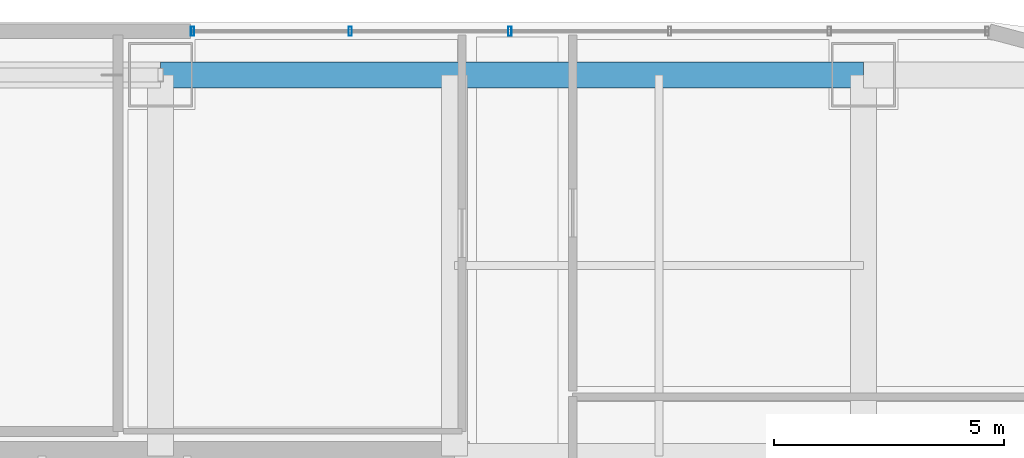
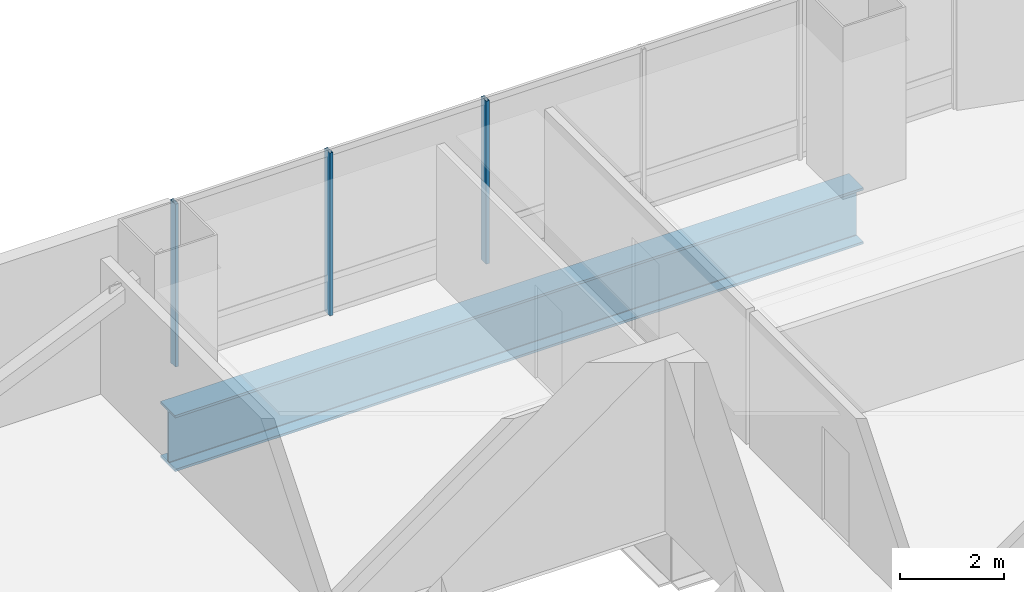
# One storey, part 22 of 41: 3 members, 1 beam, 1 element without a shape of its own.
"""IFC4 building model written with IfcOpenShell, lengths in metres."""

from ifc_helpers import new_model, si_unit, direction, frame, origin, origin_2d, place, context, subcontext, project, spatial, hollow_rectangle, i_section, extrude, material, material_profile, profile_set, type_object, element, aggregate, save


model = new_model("IFC4")

# Units and contexts
model_context = context("Model", 3, precision=1e-05, world=origin(), true_north=direction((0.0, 1.0)))
body_context = subcontext(model_context, "Body", "Model", "MODEL_VIEW")
ifc_project = project(units=[si_unit("LENGTHUNIT", "METRE"), si_unit("AREAUNIT", "SQUARE_METRE"), si_unit("VOLUMEUNIT", "CUBIC_METRE"), si_unit("PLANEANGLEUNIT", "RADIAN"), si_unit("MASSUNIT", "GRAM", prefix="KILO")], contexts=[model_context])

# Site, building, storey
site_placement = place(None, origin())
site = spatial("IfcSite", under=ifc_project, at=site_placement, CompositionType="ELEMENT")
building_placement = place(site_placement, origin())
building = spatial("IfcBuilding", under=site, at=building_placement, Name="Punatoya Terracotta Tower", CompositionType="ELEMENT")
storey_placement = place(building_placement, frame((0.0, 0.0, 220.800048828125)))
storey = spatial("IfcBuildingStorey", under=building, at=storey_placement, Name="L52", CompositionType="ELEMENT", Elevation=220.800048828125)

# Beam
ifc_material_1 = material(Name="Steel S460", Category="steel")
ifc_material_profile_1 = material_profile(ifc_material_1, i_section(OverallWidth=0.56005859375, OverallDepth=1.320068359375, WebThickness=0.035888671875, FlangeThickness=0.054931640625, FilletRadius=0.01806640625, at=origin_2d()))
ifc_profile_set_1 = profile_set([ifc_material_profile_1], Name="Steel S460")
beam_type = type_object("IfcBeamType", Name="BM-TG-BLK", PredefinedType="BEAM", material=ifc_profile_set_1)
beam_placement = place(storey_placement, frame((3.800048828125, 17.5, -0.880126953125), z_axis=(1.0, 0.0, 0.0), x_axis=(0.0, 1.0, 0.0)))
element("IfcBeam", 1, at=beam_placement, inside=storey, type_object=beam_type, Name="BM-L52-RG-N3", PredefinedType="BEAM", context=body_context, shape_type="SweptSolid", body=[
    extrude(i_section(OverallWidth=0.56005859375, OverallDepth=1.320068359375, WebThickness=0.035888671875, FlangeThickness=0.054931640625, FilletRadius=0.01806640625, at=origin_2d()), origin(), (0.0, 0.0, 1.0), 15.300048828125),
])

# Curtain wall, members
ifc_material_2 = material(Name="Aluminium 6063-T6 + Double Low-E Glass", Category="aluminium")
curtain_wall_type = type_object("IfcCurtainWallType", Name="CW-M2", PredefinedType="NOTDEFINED", material=ifc_material_2)
curtain_wall_placement = place(storey_placement, origin())
curtain_wall = element("IfcCurtainWall", 2, at=curtain_wall_placement, inside=storey, type_object=curtain_wall_type, Name="L52 Curtain Wall CW-L52-N08-1", PredefinedType="NOTDEFINED")
ifc_material_3 = material(Name="Aluminium 6063-T6", Category="aluminium")
ifc_material_profile_2 = material_profile(ifc_material_3, hollow_rectangle(XDim=0.072021484375, YDim=0.195068359375, WallThickness=0.00439453125, at=origin_2d()))
ifc_profile_set_2 = profile_set([ifc_material_profile_2], Name="Aluminium 6063-T6")
member_type = type_object("IfcMemberType", Name="CW-MUL-M2", PredefinedType="MULLION", material=ifc_profile_set_2)
member_1_placement = place(storey_placement, frame((11.40478515625, 18.449951171875, 0.0), z_axis=(0.0, 0.0, 1.0), x_axis=(1.0, 0.0, 0.0)))
member_1 = element("IfcMember", 3, at=member_1_placement, type_object=member_type, Name="CW-L52-N08-1 Mullion 03", PredefinedType="MULLION", context=body_context, shape_type="SweptSolid", body=[
    extrude(hollow_rectangle(XDim=0.072021484375, YDim=0.195068359375, WallThickness=0.00439453125, at=origin_2d()), origin(), (0.0, 0.0, 1.0), 3.829833984375),
])
member_2_placement = place(storey_placement, frame((7.927490234375, 18.449951171875, 0.0), z_axis=(0.0, 0.0, 1.0), x_axis=(1.0, 0.0, 0.0)))
member_2 = element("IfcMember", 4, at=member_2_placement, type_object=member_type, Name="CW-L52-N08-1 Mullion 04", PredefinedType="MULLION", context=body_context, shape_type="SweptSolid", body=[
    extrude(hollow_rectangle(XDim=0.072021484375, YDim=0.195068359375, WallThickness=0.00439453125, at=origin_2d()), origin(), (0.0, 0.0, 1.0), 3.829833984375),
])
member_3_placement = place(storey_placement, frame((4.4951171875, 18.449951171875, 0.0), z_axis=(0.0, 0.0, 1.0), x_axis=(1.0, 0.0, 0.0)))
member_3 = element("IfcMember", 5, at=member_3_placement, type_object=member_type, Name="CW-L52-N08-1 Mullion 05", PredefinedType="MULLION", context=body_context, shape_type="SweptSolid", body=[
    extrude(hollow_rectangle(XDim=0.072021484375, YDim=0.195068359375, WallThickness=0.00439453125, at=origin_2d()), origin(), (0.0, 0.0, 1.0), 3.829833984375),
])
aggregate(curtain_wall, [member_1, member_2, member_3])

save(model, "model.ifc")
